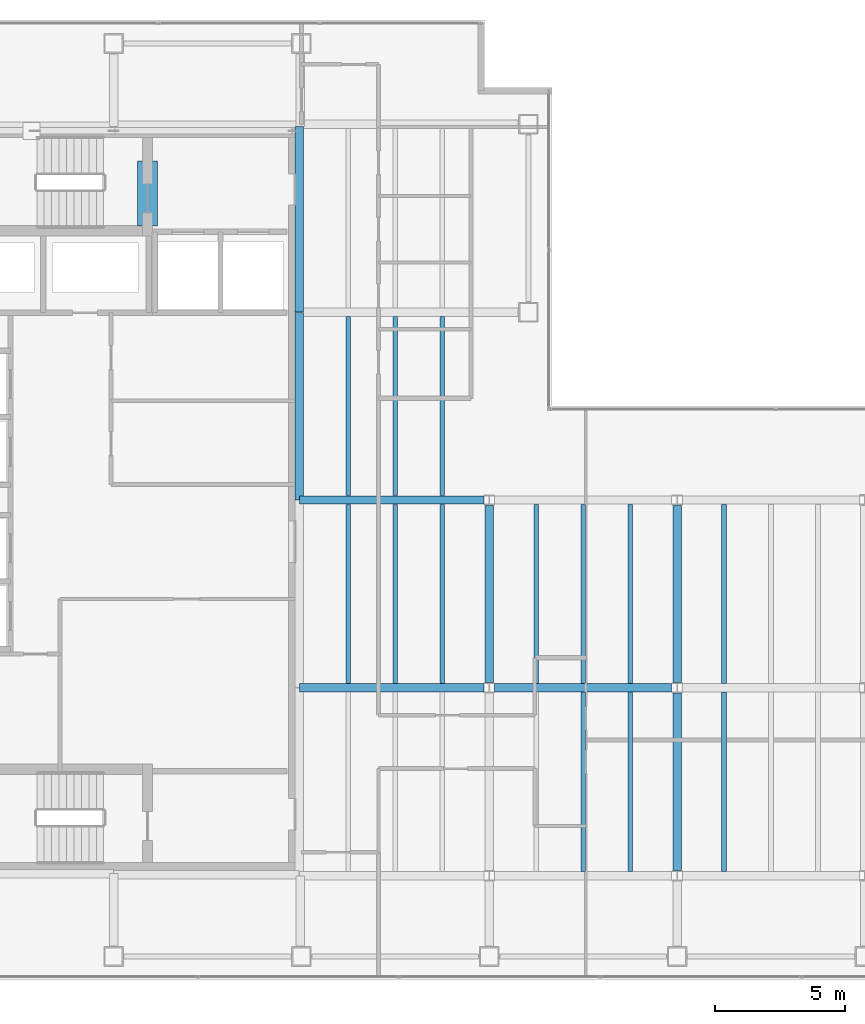
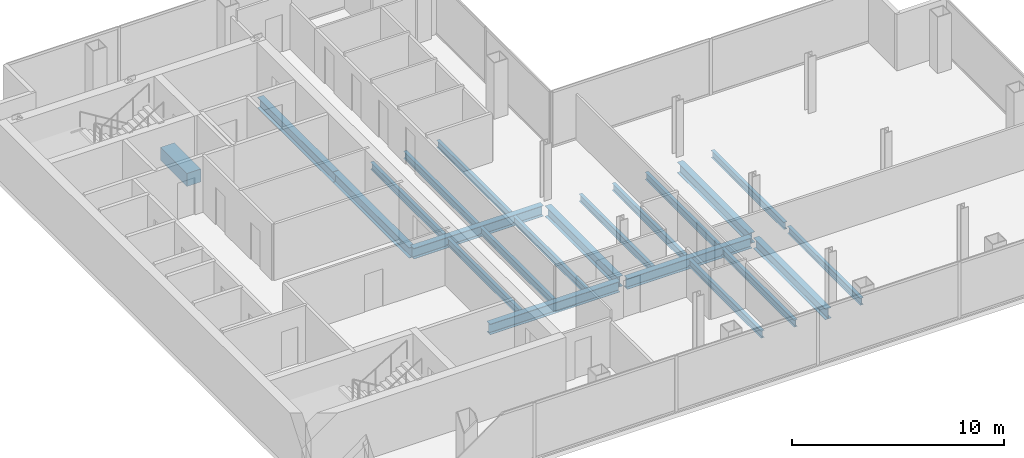
# One storey, part 7 of 23: 22 beams.
"""IFC4 building model written with IfcOpenShell, lengths in metres."""

from ifc_helpers import new_model, si_unit, direction, frame, origin, origin_2d, place, context, subcontext, project, spatial, rectangle, i_section, extrude, material, material_profile, profile_set, type_object, element, save


model = new_model("IFC4")

# Units and contexts
model_context = context("Model", 3, precision=1e-05, world=origin(), true_north=direction((0.0, 1.0)))
body_context = subcontext(model_context, "Body", "Model", "MODEL_VIEW")
ifc_project = project(units=[si_unit("LENGTHUNIT", "METRE"), si_unit("AREAUNIT", "SQUARE_METRE"), si_unit("VOLUMEUNIT", "CUBIC_METRE"), si_unit("PLANEANGLEUNIT", "RADIAN"), si_unit("MASSUNIT", "GRAM", prefix="KILO")], contexts=[model_context])

# Site, building, storey
site_placement = place(None, origin())
site = spatial("IfcSite", under=ifc_project, at=site_placement, CompositionType="ELEMENT")
building_placement = place(site_placement, origin())
building = spatial("IfcBuilding", under=site, at=building_placement, Name="Cobrela Telecom Tower", CompositionType="ELEMENT")
storey_placement = place(building_placement, frame((0.0, 0.0, 201.25)))
storey = spatial("IfcBuildingStorey", under=building, at=storey_placement, Name="L51", CompositionType="ELEMENT", Elevation=201.25)

# Beams
ifc_material_1 = material(Name="Concrete C40/50", Category="concrete")
ifc_material_profile_1 = material_profile(ifc_material_1, rectangle(XDim=0.75, YDim=0.75, at=origin_2d()), Name="RC 750x750")
ifc_profile_set_1 = profile_set([ifc_material_profile_1], Name="Concrete C40/50")
beam_type_1 = type_object("IfcBeamType", Name="BM-COUP-RC", PredefinedType="LINTEL", material=ifc_profile_set_1)
beam_1_placement = place(storey_placement, frame((8.5, 32.10009765625, -0.610107421875), z_axis=(0.0, 1.0, 0.0), x_axis=(-1.0, 0.0, 0.0)))
element("IfcBeam", 1, at=beam_1_placement, inside=storey, type_object=beam_type_1, Name="L51 Core Coupling Lintel Beam", PredefinedType="LINTEL", context=body_context, shape_type="SweptSolid", body=[
    extrude(rectangle(XDim=0.75, YDim=0.75, at=origin_2d()), origin(), (0.0, 0.0, 1.0), 2.5),
])
ifc_material_2 = material(Name="Steel ASTM A992 Grade 50", Category="steel")
ifc_material_profile_2 = material_profile(ifc_material_2, i_section(OverallWidth=0.324951171875, OverallDepth=0.612060546875, WebThickness=0.0126953125, FlangeThickness=0.01904296875, FilletRadius=0.014892578125, at=origin_2d()), Name="W24X104")
ifc_profile_set_2 = profile_set([ifc_material_profile_2], Name="Steel ASTM A992 Grade 50")
beam_type_2 = type_object("IfcBeamType", Name="BM-GIRD-07", PredefinedType="USERDEFINED", material=ifc_profile_set_2)
beam_2_placement = place(storey_placement, frame((14.324951171875, 14.39990234375, -0.56591796875), z_axis=(1.0, 0.0, 0.0), x_axis=(0.0, 1.0, 0.0)))
element("IfcBeam", 2, at=beam_2_placement, inside=storey, type_object=beam_type_2, Name="L51 Primary Girder X11", ObjectType="GIRDER", PredefinedType="USERDEFINED", context=body_context, shape_type="SweptSolid", body=[
    extrude(i_section(OverallWidth=0.324951171875, OverallDepth=0.612060546875, WebThickness=0.0126953125, FlangeThickness=0.01904296875, FilletRadius=0.014892578125, at=origin_2d()), origin(), (0.0, 0.0, 1.0), 7.070556640625),
])
beam_3_placement = place(storey_placement, frame((21.804443359375, 14.39990234375, -0.56591796875), z_axis=(1.0, 0.0, 0.0), x_axis=(0.0, 1.0, 0.0)))
element("IfcBeam", 3, at=beam_3_placement, inside=storey, type_object=beam_type_2, Name="L51 Primary Girder X12", ObjectType="GIRDER", PredefinedType="USERDEFINED", context=body_context, shape_type="SweptSolid", body=[
    extrude(i_section(OverallWidth=0.324951171875, OverallDepth=0.612060546875, WebThickness=0.0126953125, FlangeThickness=0.01904296875, FilletRadius=0.014892578125, at=origin_2d()), origin(), (0.0, 0.0, 1.0), 6.791015625),
])
beam_4_placement = place(storey_placement, frame((14.324951171875, 21.60009765625, -0.56591796875), z_axis=(1.0, 0.0, 0.0), x_axis=(0.0, 1.0, 0.0)))
element("IfcBeam", 4, at=beam_4_placement, inside=storey, type_object=beam_type_2, Name="L51 Primary Girder X15", ObjectType="GIRDER", PredefinedType="USERDEFINED", context=body_context, shape_type="SweptSolid", body=[
    extrude(i_section(OverallWidth=0.324951171875, OverallDepth=0.612060546875, WebThickness=0.0126953125, FlangeThickness=0.01904296875, FilletRadius=0.014892578125, at=origin_2d()), origin(), (0.0, 0.0, 1.0), 7.070556640625),
])
beam_5_placement = place(storey_placement, frame((14.320068359375, 21.60498046875, -0.56591796875), z_axis=(0.0, 1.0, 0.0), x_axis=(-1.0, 0.0, 0.0)))
element("IfcBeam", 5, at=beam_5_placement, inside=storey, type_object=beam_type_2, Name="L51 Primary Girder Y29", ObjectType="GIRDER", PredefinedType="USERDEFINED", context=body_context, shape_type="SweptSolid", body=[
    extrude(i_section(OverallWidth=0.324951171875, OverallDepth=0.612060546875, WebThickness=0.0126953125, FlangeThickness=0.01904296875, FilletRadius=0.014892578125, at=origin_2d()), origin(), (0.0, 0.0, 1.0), 7.18994140625),
])
beam_6_placement = place(storey_placement, frame((14.320068359375, 28.804931640625, -0.56591796875), z_axis=(0.0, 1.0, 0.0), x_axis=(-1.0, 0.0, 0.0)))
element("IfcBeam", 6, at=beam_6_placement, inside=storey, type_object=beam_type_2, Name="L51 Primary Girder Y30", ObjectType="GIRDER", PredefinedType="USERDEFINED", context=body_context, shape_type="SweptSolid", body=[
    extrude(i_section(OverallWidth=0.324951171875, OverallDepth=0.612060546875, WebThickness=0.0126953125, FlangeThickness=0.01904296875, FilletRadius=0.014892578125, at=origin_2d()), origin(), (0.0, 0.0, 1.0), 7.110107421875),
])
for number, where, z_axis, x_axis, name in (
    (7, (21.60009765625, 14.6044921875, -0.56591796875), (0.0, 1.0, 0.0), (-1.0, 0.0, 0.0), "L51 Primary Girder Y34"),
    (8, (28.800048828125, 7.404541015625, -0.56591796875), (0.0, 1.0, 0.0), (-1.0, 0.0, 0.0), "L51 Primary Girder Y37"),
    (9, (28.800048828125, 14.6044921875, -0.56591796875), (0.0, 1.0, 0.0), (-1.0, 0.0, 0.0), "L51 Primary Girder Y38"),
):
    element("IfcBeam", number, at=place(storey_placement, frame(where, z_axis=z_axis, x_axis=x_axis)), inside=storey, type_object=beam_type_2, Name=name, ObjectType="GIRDER", PredefinedType="USERDEFINED", context=body_context, shape_type="SweptSolid", body=[
        extrude(i_section(OverallWidth=0.324951171875, OverallDepth=0.612060546875, WebThickness=0.0126953125, FlangeThickness=0.01904296875, FilletRadius=0.014892578125, at=origin_2d()), origin(), (0.0, 0.0, 1.0), 6.791015625),
    ])
ifc_material_profile_3 = material_profile(ifc_material_2, i_section(OverallWidth=0.179931640625, OverallDepth=0.4169921875, WebThickness=0.010986328125, FlangeThickness=0.01806640625, FilletRadius=0.011962890625, at=origin_2d()), Name="W16X57")
ifc_profile_set_3 = profile_set([ifc_material_profile_3], Name="Steel ASTM A992 Grade 50")
beam_type_3 = type_object("IfcBeamType", Name="BM-JOIST-04", PredefinedType="JOIST", material=ifc_profile_set_3)
beam_7_placement = place(storey_placement, frame((16.199951171875, 14.5673828125, -0.468505859375), z_axis=(0.0, 1.0, 0.0), x_axis=(-1.0, 0.0, 0.0)))
element("IfcBeam", 10, at=beam_7_placement, inside=storey, type_object=beam_type_3, Name="L51 Secondary Composite Floor Beam J02", PredefinedType="JOIST", context=body_context, shape_type="SweptSolid", body=[
    extrude(i_section(OverallWidth=0.179931640625, OverallDepth=0.4169921875, WebThickness=0.010986328125, FlangeThickness=0.01806640625, FilletRadius=0.011962890625, at=origin_2d()), origin(), (0.0, 0.0, 1.0), 6.865234375),
])
beam_8_placement = place(storey_placement, frame((16.199951171875, 21.767578125, -0.468505859375), z_axis=(0.0, 1.0, 0.0), x_axis=(-1.0, 0.0, 0.0)))
element("IfcBeam", 11, at=beam_8_placement, inside=storey, type_object=beam_type_3, Name="L51 Secondary Composite Floor Beam J03", PredefinedType="JOIST", context=body_context, shape_type="SweptSolid", body=[
    extrude(i_section(OverallWidth=0.179931640625, OverallDepth=0.4169921875, WebThickness=0.010986328125, FlangeThickness=0.01806640625, FilletRadius=0.011962890625, at=origin_2d()), origin(), (0.0, 0.0, 1.0), 6.864990234375),
])
beam_9_placement = place(storey_placement, frame((18.0, 14.5673828125, -0.468505859375), z_axis=(0.0, 1.0, 0.0), x_axis=(-1.0, 0.0, 0.0)))
element("IfcBeam", 12, at=beam_9_placement, inside=storey, type_object=beam_type_3, Name="L51 Secondary Composite Floor Beam J06", PredefinedType="JOIST", context=body_context, shape_type="SweptSolid", body=[
    extrude(i_section(OverallWidth=0.179931640625, OverallDepth=0.4169921875, WebThickness=0.010986328125, FlangeThickness=0.01806640625, FilletRadius=0.011962890625, at=origin_2d()), origin(), (0.0, 0.0, 1.0), 6.865234375),
])
beam_10_placement = place(storey_placement, frame((18.0, 21.767578125, -0.468505859375), z_axis=(0.0, 1.0, 0.0), x_axis=(-1.0, 0.0, 0.0)))
element("IfcBeam", 13, at=beam_10_placement, inside=storey, type_object=beam_type_3, Name="L51 Secondary Composite Floor Beam J07", PredefinedType="JOIST", context=body_context, shape_type="SweptSolid", body=[
    extrude(i_section(OverallWidth=0.179931640625, OverallDepth=0.4169921875, WebThickness=0.010986328125, FlangeThickness=0.01806640625, FilletRadius=0.011962890625, at=origin_2d()), origin(), (0.0, 0.0, 1.0), 6.864990234375),
])
beam_11_placement = place(storey_placement, frame((19.800048828125, 14.5673828125, -0.468505859375), z_axis=(0.0, 1.0, 0.0), x_axis=(-1.0, 0.0, 0.0)))
element("IfcBeam", 14, at=beam_11_placement, inside=storey, type_object=beam_type_3, Name="L51 Secondary Composite Floor Beam J10", PredefinedType="JOIST", context=body_context, shape_type="SweptSolid", body=[
    extrude(i_section(OverallWidth=0.179931640625, OverallDepth=0.4169921875, WebThickness=0.010986328125, FlangeThickness=0.01806640625, FilletRadius=0.011962890625, at=origin_2d()), origin(), (0.0, 0.0, 1.0), 6.865234375),
])
beam_12_placement = place(storey_placement, frame((19.800048828125, 21.767578125, -0.468505859375), z_axis=(0.0, 1.0, 0.0), x_axis=(-1.0, 0.0, 0.0)))
element("IfcBeam", 15, at=beam_12_placement, inside=storey, type_object=beam_type_3, Name="L51 Secondary Composite Floor Beam J11", PredefinedType="JOIST", context=body_context, shape_type="SweptSolid", body=[
    extrude(i_section(OverallWidth=0.179931640625, OverallDepth=0.4169921875, WebThickness=0.010986328125, FlangeThickness=0.01806640625, FilletRadius=0.011962890625, at=origin_2d()), origin(), (0.0, 0.0, 1.0), 6.864990234375),
])
beam_13_placement = place(storey_placement, frame((23.39990234375, 14.5673828125, -0.468505859375), z_axis=(0.0, 1.0, 0.0), x_axis=(-1.0, 0.0, 0.0)))
element("IfcBeam", 16, at=beam_13_placement, inside=storey, type_object=beam_type_3, Name="L51 Secondary Composite Floor Beam J14", PredefinedType="JOIST", context=body_context, shape_type="SweptSolid", body=[
    extrude(i_section(OverallWidth=0.179931640625, OverallDepth=0.4169921875, WebThickness=0.010986328125, FlangeThickness=0.01806640625, FilletRadius=0.011962890625, at=origin_2d()), origin(), (0.0, 0.0, 1.0), 6.865234375),
])
beam_14_placement = place(storey_placement, frame((25.199951171875, 7.367431640625, -0.468505859375), z_axis=(0.0, 1.0, 0.0), x_axis=(-1.0, 0.0, 0.0)))
element("IfcBeam", 17, at=beam_14_placement, inside=storey, type_object=beam_type_3, Name="L51 Secondary Composite Floor Beam J15", PredefinedType="JOIST", context=body_context, shape_type="SweptSolid", body=[
    extrude(i_section(OverallWidth=0.179931640625, OverallDepth=0.4169921875, WebThickness=0.010986328125, FlangeThickness=0.01806640625, FilletRadius=0.011962890625, at=origin_2d()), origin(), (0.0, 0.0, 1.0), 6.864990234375),
])
beam_15_placement = place(storey_placement, frame((25.199951171875, 14.5673828125, -0.468505859375), z_axis=(0.0, 1.0, 0.0), x_axis=(-1.0, 0.0, 0.0)))
element("IfcBeam", 18, at=beam_15_placement, inside=storey, type_object=beam_type_3, Name="L51 Secondary Composite Floor Beam J16", PredefinedType="JOIST", context=body_context, shape_type="SweptSolid", body=[
    extrude(i_section(OverallWidth=0.179931640625, OverallDepth=0.4169921875, WebThickness=0.010986328125, FlangeThickness=0.01806640625, FilletRadius=0.011962890625, at=origin_2d()), origin(), (0.0, 0.0, 1.0), 6.865234375),
])
beam_16_placement = place(storey_placement, frame((27.0, 7.367431640625, -0.468505859375), z_axis=(0.0, 1.0, 0.0), x_axis=(-1.0, 0.0, 0.0)))
element("IfcBeam", 19, at=beam_16_placement, inside=storey, type_object=beam_type_3, Name="L51 Secondary Composite Floor Beam J17", PredefinedType="JOIST", context=body_context, shape_type="SweptSolid", body=[
    extrude(i_section(OverallWidth=0.179931640625, OverallDepth=0.4169921875, WebThickness=0.010986328125, FlangeThickness=0.01806640625, FilletRadius=0.011962890625, at=origin_2d()), origin(), (0.0, 0.0, 1.0), 6.864990234375),
])
beam_17_placement = place(storey_placement, frame((27.0, 14.5673828125, -0.468505859375), z_axis=(0.0, 1.0, 0.0), x_axis=(-1.0, 0.0, 0.0)))
element("IfcBeam", 20, at=beam_17_placement, inside=storey, type_object=beam_type_3, Name="L51 Secondary Composite Floor Beam J18", PredefinedType="JOIST", context=body_context, shape_type="SweptSolid", body=[
    extrude(i_section(OverallWidth=0.179931640625, OverallDepth=0.4169921875, WebThickness=0.010986328125, FlangeThickness=0.01806640625, FilletRadius=0.011962890625, at=origin_2d()), origin(), (0.0, 0.0, 1.0), 6.865234375),
])
beam_18_placement = place(storey_placement, frame((30.60009765625, 7.367431640625, -0.468505859375), z_axis=(0.0, 1.0, 0.0), x_axis=(-1.0, 0.0, 0.0)))
element("IfcBeam", 21, at=beam_18_placement, inside=storey, type_object=beam_type_3, Name="L51 Secondary Composite Floor Beam J19", PredefinedType="JOIST", context=body_context, shape_type="SweptSolid", body=[
    extrude(i_section(OverallWidth=0.179931640625, OverallDepth=0.4169921875, WebThickness=0.010986328125, FlangeThickness=0.01806640625, FilletRadius=0.011962890625, at=origin_2d()), origin(), (0.0, 0.0, 1.0), 6.864990234375),
])
beam_19_placement = place(storey_placement, frame((30.60009765625, 14.5673828125, -0.468505859375), z_axis=(0.0, 1.0, 0.0), x_axis=(-1.0, 0.0, 0.0)))
element("IfcBeam", 22, at=beam_19_placement, inside=storey, type_object=beam_type_3, Name="L51 Secondary Composite Floor Beam J20", PredefinedType="JOIST", context=body_context, shape_type="SweptSolid", body=[
    extrude(i_section(OverallWidth=0.179931640625, OverallDepth=0.4169921875, WebThickness=0.010986328125, FlangeThickness=0.01806640625, FilletRadius=0.011962890625, at=origin_2d()), origin(), (0.0, 0.0, 1.0), 6.865234375),
])

save(model, "model.ifc")
